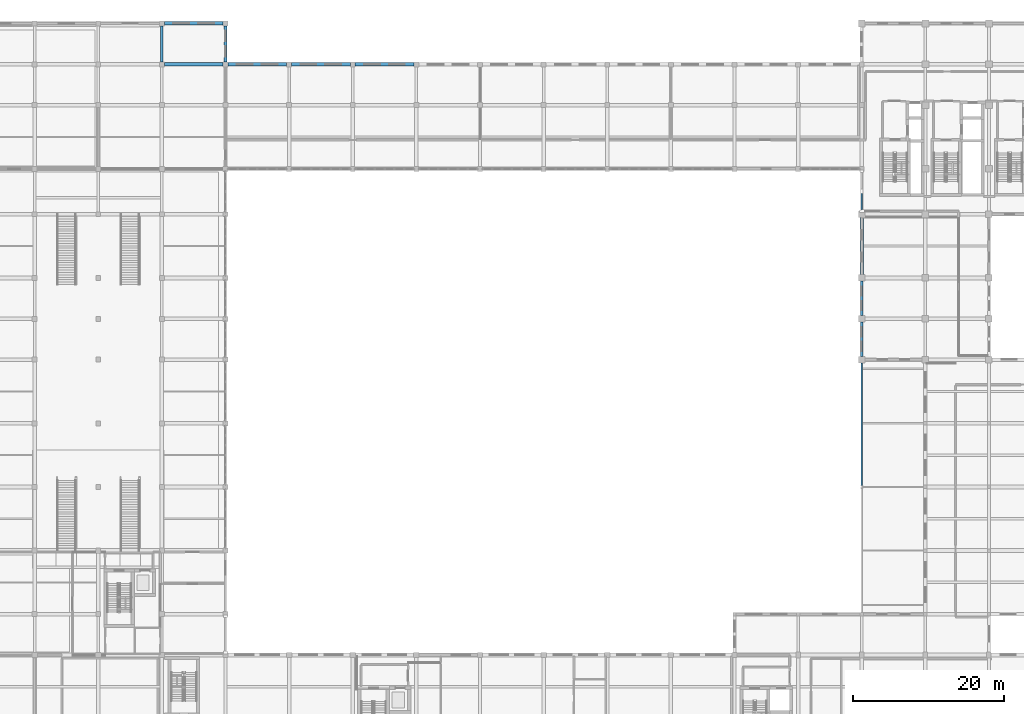
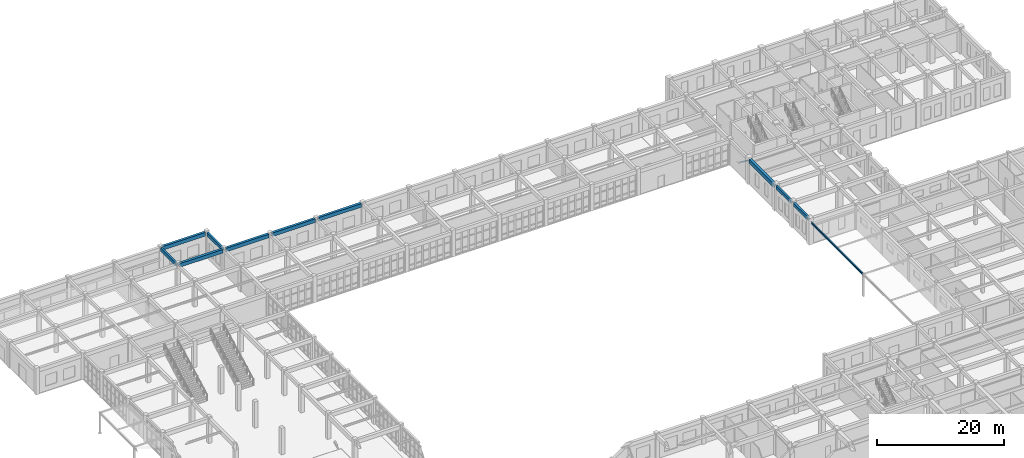
# One storey, part 34 of 80: 11 beams, 1 member.
"""IFC4 building model written with IfcOpenShell, lengths in metres."""

from ifc_helpers import new_model, si_unit, direction, frame, origin, origin_2d, place, context, subcontext, project, spatial, rectangle, hollow_rectangle, i_section, extrude, material, material_profile, profile_set, type_object, element, save


model = new_model("IFC4")

# Units and contexts
model_context = context("Model", 3, precision=1e-05, world=origin(), true_north=direction((0.0, 1.0)))
body_context = subcontext(model_context, "Body", "Model", "MODEL_VIEW")
ifc_project = project(units=[si_unit("LENGTHUNIT", "METRE"), si_unit("AREAUNIT", "SQUARE_METRE"), si_unit("VOLUMEUNIT", "CUBIC_METRE"), si_unit("PLANEANGLEUNIT", "RADIAN"), si_unit("MASSUNIT", "GRAM", prefix="KILO")], contexts=[model_context])

# Site, building, storey
site_placement = place(None, origin())
site = spatial("IfcSite", under=ifc_project, at=site_placement, CompositionType="ELEMENT")
building_placement = place(site_placement, origin())
building = spatial("IfcBuilding", under=site, at=building_placement, Name="Krzemoval Escarpment Law Courts", CompositionType="ELEMENT")
storey_placement = place(building_placement, origin())
storey = spatial("IfcBuildingStorey", under=building, at=storey_placement, Name="L00", CompositionType="ELEMENT", Elevation=0.0)

# Beams
ifc_material_1 = material(Name="Concrete C40/50", Category="concrete")
ifc_material_profile_1 = material_profile(ifc_material_1, rectangle(XDim=0.35009765625, YDim=0.64990234375, at=origin_2d()), Name="RCB 350x650")
ifc_profile_set_1 = profile_set([ifc_material_profile_1], Name="Concrete C40/50")
beam_type_1 = type_object("IfcBeamType", Name="BM-RC-350x650", PredefinedType="BEAM", material=ifc_profile_set_1)
for number, where, z_axis, x_axis, name in (
    (1, (33.60009765625, 113.72509765625, 4.4951171875), (0.0, 1.0, 0.0), (-1.0, 0.0, 0.0), "Beam FG-L00-0877"),
    (2, (42.0, 113.72509765625, 4.4951171875), (0.0, 1.0, 0.0), (-1.0, 0.0, 0.0), "Beam FG-L00-0893"),
):
    element("IfcBeam", number, at=place(storey_placement, frame(where, z_axis=z_axis, x_axis=x_axis)), inside=storey, type_object=beam_type_1, Name=name, PredefinedType="BEAM", context=body_context, shape_type="SweptSolid", body=[
        extrude(rectangle(XDim=0.35009765625, YDim=0.64990234375, at=origin_2d()), origin(), (0.0, 0.0, 1.0), 4.75),
    ])
beam_1_placement = place(storey_placement, frame((126.0, 74.824951171875, 4.4951171875), z_axis=(0.0, 1.0, 0.0), x_axis=(-1.0, 0.0, 0.0)))
element("IfcBeam", 3, at=beam_1_placement, inside=storey, type_object=beam_type_1, Name="Beam FG-L00-0955", PredefinedType="BEAM", context=body_context, shape_type="SweptSolid", body=[
    extrude(rectangle(XDim=0.35009765625, YDim=0.64990234375, at=origin_2d()), origin(), (0.0, 0.0, 1.0), 4.550048828125),
])
beam_2_placement = place(storey_placement, frame((126.0, 80.22509765625, 4.4951171875), z_axis=(0.0, 1.0, 0.0), x_axis=(-1.0, 0.0, 0.0)))
element("IfcBeam", 4, at=beam_2_placement, inside=storey, type_object=beam_type_1, Name="Beam FG-L00-0956", PredefinedType="BEAM", context=body_context, shape_type="SweptSolid", body=[
    extrude(rectangle(XDim=0.35009765625, YDim=0.64990234375, at=origin_2d()), origin(), (0.0, 0.0, 1.0), 4.5498046875),
])
ifc_material_2 = material(Name="Concrete C40/50", Category="concrete")
ifc_material_profile_2 = material_profile(ifc_material_2, rectangle(XDim=0.449951171875, YDim=0.699951171875, at=origin_2d()), Name="RCB 450x700")
ifc_profile_set_2 = profile_set([ifc_material_profile_2], Name="Concrete C40/50")
beam_type_2 = type_object("IfcBeamType", Name="BM-RC-450x700", PredefinedType="BEAM", material=ifc_profile_set_2)
for number, where, z_axis, x_axis, name in (
    (5, (33.925048828125, 113.39990234375, 4.469970703125), (1.0, 0.0, 0.0), (0.0, 1.0, 0.0), "Beam FG-L00-0783"),
    (6, (42.324951171875, 113.39990234375, 4.469970703125), (1.0, 0.0, 0.0), (0.0, 1.0, 0.0), "Beam FG-L00-0784"),
    (7, (50.72509765625, 113.39990234375, 4.469970703125), (1.0, 0.0, 0.0), (0.0, 1.0, 0.0), "Beam FG-L00-0785"),
    (8, (59.125, 113.39990234375, 4.469970703125), (1.0, 0.0, 0.0), (0.0, 1.0, 0.0), "Beam FG-L00-0786"),
    (9, (33.925048828125, 118.800048828125, 4.469970703125), (1.0, 0.0, 0.0), (0.0, 1.0, 0.0), "Beam FG-L00-0805"),
):
    element("IfcBeam", number, at=place(storey_placement, frame(where, z_axis=z_axis, x_axis=x_axis)), inside=storey, type_object=beam_type_2, Name=name, PredefinedType="BEAM", context=body_context, shape_type="SweptSolid", body=[
        extrude(rectangle(XDim=0.449951171875, YDim=0.699951171875, at=origin_2d()), origin(), (0.0, 0.0, 1.0), 7.75),
    ])
ifc_material_3 = material(Name="Concrete C40/50", Category="concrete")
ifc_material_profile_3 = material_profile(ifc_material_3, rectangle(XDim=0.449951171875, YDim=0.800048828125, at=origin_2d()), Name="RCB 450x800")
ifc_profile_set_3 = profile_set([ifc_material_profile_3], Name="Concrete C40/50")
beam_type_3 = type_object("IfcBeamType", Name="BM-RC-450x800", PredefinedType="BEAM", material=ifc_profile_set_3)
beam_3_placement = place(storey_placement, frame((126.0, 85.625, 4.419921875), z_axis=(0.0, 1.0, 0.0), x_axis=(-1.0, 0.0, 0.0)))
element("IfcBeam", 10, at=beam_3_placement, inside=storey, type_object=beam_type_3, Name="Beam FG-L00-0957", PredefinedType="BEAM", context=body_context, shape_type="SweptSolid", body=[
    extrude(rectangle(XDim=0.449951171875, YDim=0.800048828125, at=origin_2d()), origin(), (0.0, 0.0, 1.0), 7.550048828125),
])
ifc_material_4 = material(Name="Steel S355", Category="steel")
ifc_material_profile_4 = material_profile(ifc_material_4, i_section(OverallWidth=0.179931640625, OverallDepth=0.39990234375, WebThickness=0.008544921875, FlangeThickness=0.013427734375, at=origin_2d()), Name="IPE 400")
ifc_profile_set_4 = profile_set([ifc_material_profile_4], Name="Steel S355")
beam_type_4 = type_object("IfcBeamType", Name="BM-S355-IPE400", PredefinedType="BEAM", material=ifc_profile_set_4)
beam_4_placement = place(storey_placement, frame((126.0, 57.75, 4.219970703125), z_axis=(0.0, 1.0, 0.0), x_axis=(-1.0, 0.0, 0.0)))
element("IfcBeam", 11, at=beam_4_placement, inside=storey, type_object=beam_type_4, Name="Passage Canopy Edge Beam CB-2853", PredefinedType="BEAM", context=body_context, shape_type="SweptSolid", body=[
    extrude(i_section(OverallWidth=0.179931640625, OverallDepth=0.39990234375, WebThickness=0.008544921875, FlangeThickness=0.013427734375, at=origin_2d()), origin(), (0.0, 0.0, 1.0), 16.22509765625),
])

# Member
ifc_material_5 = material(Name="Steel S355", Category="steel")
ifc_material_profile_5 = material_profile(ifc_material_5, hollow_rectangle(XDim=0.199951171875, YDim=0.199951171875, WallThickness=0.010009765625, at=origin_2d()), Name="SHS 200x200x10")
ifc_profile_set_5 = profile_set([ifc_material_profile_5], Name="Steel S355")
member_type = type_object("IfcMemberType", Name="MBR-BRC-SHS200", PredefinedType="BRACE", material=ifc_profile_set_5)
member_placement = place(storey_placement, frame((126.0, 94.0, 4.02001953125), z_axis=(0.0, 0.800381426496, -0.599491094279), x_axis=(-1.0, 0.0, 0.0)))
element("IfcMember", 12, at=member_placement, inside=storey, type_object=member_type, Name="Lateral X-Brace Split Diagonal BR-0240", PredefinedType="BRACE", context=body_context, shape_type="SweptSolid", body=[
    extrude(hollow_rectangle(XDim=0.199951171875, YDim=0.199951171875, WallThickness=0.010009765625, at=origin_2d()), origin(), (0.0, 0.0, 1.0), 3.071044921875),
])

save(model, "model.ifc")
